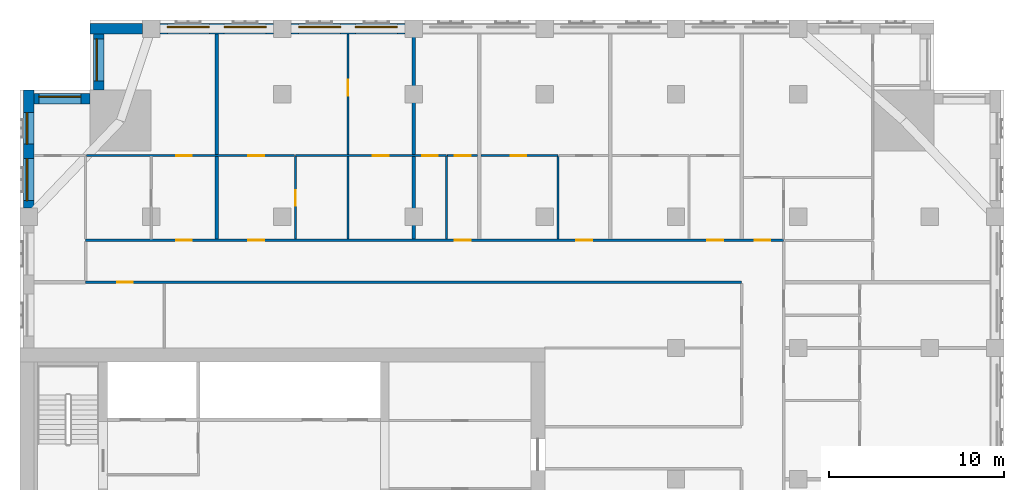
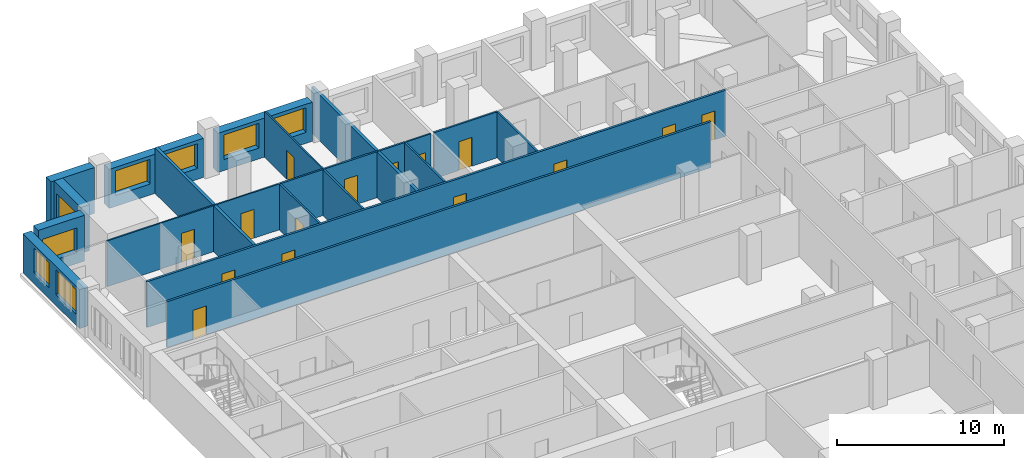
# One storey, part 9 of 14: 19 walls, 15 doors, 8 windows, 23 openings.
"""IFC4 building model written with IfcOpenShell, lengths in metres."""

import ifcopenshell
import ifcopenshell.guid

model = None  # the IFC model being written
_history = None  # IfcOwnerHistory: only IFC2X3 demands one
_inside = {}  # id of a spatial element -> (the spatial element, [elements in it])
_under = {}  # id of a project, library or spatial element -> (it, [spatial elements below it])
_declared = {}  # id of a project -> (the project, [libraries it declares])
_typed = {}  # id of a type object -> (the type object, [elements of that type])
_made_of = {}  # id of a material, layer set ... -> (it, [elements and type objects made of it])


def new_model(schema):
    """Start an empty IFC model of exactly this schema.

    Asked for "IFC4X3", IfcOpenShell would pick the latest addendum, in which some entities
    have other attributes; the version numbers below select the first issue.
    IFC2X3 requires an IfcOwnerHistory on every rooted entity: one is made here for all.
    """
    global model, _history
    if schema == "IFC4X3":
        model = ifcopenshell.file(schema_version=(4, 3, 0, 0))
    else:
        model = ifcopenshell.file(schema=schema)
    _inside.clear()
    _under.clear()
    _declared.clear()
    _typed.clear()
    _made_of.clear()
    _history = None
    if model.schema == "IFC2X3":
        org = make("IfcOrganization", Name="unknown")
        user = make(
            "IfcPersonAndOrganization",
            ThePerson=make("IfcPerson", FamilyName="unknown"),
            TheOrganization=org,
        )
        app = make(
            "IfcApplication",
            ApplicationDeveloper=org,
            Version="unknown",
            ApplicationFullName="unknown",
            ApplicationIdentifier="unknown",
        )
        _history = make(
            "IfcOwnerHistory",
            OwningUser=user,
            OwningApplication=app,
            ChangeAction="ADDED",
            CreationDate=0,
        )
    return model


def make(cls, **values):
    """One entity of the class cls with the attributes given. An attribute that is None is left unset."""
    return model.create_entity(
        cls, **{name: value for name, value in values.items() if value is not None}
    )


def rooted(cls, **values):
    """An entity with a GlobalId (a new one), such as an element, a storey or a relation."""
    return make(cls, GlobalId=ifcopenshell.guid.new(), OwnerHistory=_history, **values)


def si_unit(unit_type, name, prefix=None):
    """IfcSIUnit, for example si_unit("LENGTHUNIT", "METRE", prefix="MILLI")."""
    return make("IfcSIUnit", UnitType=unit_type, Prefix=prefix, Name=name)


def assignment(units):
    """IfcUnitAssignment: the units of a project."""
    return None if units is None else make("IfcUnitAssignment", Units=units)


def point(xyz):
    """IfcCartesianPoint."""
    return None if xyz is None else make("IfcCartesianPoint", Coordinates=xyz)


def direction(xyz):
    """IfcDirection."""
    return None if xyz is None else make("IfcDirection", DirectionRatios=xyz)


def frame(location, z_axis=None, x_axis=None):
    """IfcAxis2Placement3D, a coordinate frame: its origin and axes. An axis left out is left unset."""
    return make(
        "IfcAxis2Placement3D",
        Location=point(location),
        Axis=direction(z_axis),
        RefDirection=direction(x_axis),
    )


def frame_2d(location, x_axis=None):
    """IfcAxis2Placement2D, a coordinate frame in the plane: its origin and x axis."""
    return make(
        "IfcAxis2Placement2D", Location=point(location), RefDirection=direction(x_axis)
    )


def origin():
    """The frame at (0, 0, 0) with its axes left unset."""
    return frame((0.0, 0.0, 0.0))


def place(relative_to, where):
    """IfcLocalPlacement: puts the frame where relative to a parent placement (None: the world)."""
    return make(
        "IfcLocalPlacement", PlacementRelTo=relative_to, RelativePlacement=where
    )


def context(
    kind, dimensions, precision=None, world=None, true_north=None, identifier=None
):
    """IfcGeometricRepresentationContext, for example the 3D "Model" context."""
    return make(
        "IfcGeometricRepresentationContext",
        ContextIdentifier=identifier,
        ContextType=kind,
        CoordinateSpaceDimension=dimensions,
        Precision=precision,
        WorldCoordinateSystem=world,
        TrueNorth=true_north,
    )


def subcontext(parent, identifier, kind, view, scale=None):
    """IfcGeometricRepresentationSubContext, for example "Body" below "Model"."""
    return make(
        "IfcGeometricRepresentationSubContext",
        ContextIdentifier=identifier,
        ContextType=kind,
        ParentContext=parent,
        TargetScale=scale,
        TargetView=view,
    )


def project(units=None, contexts=None):
    """IfcProject with its units and contexts."""
    return rooted(
        "IfcProject",
        Name="project",
        RepresentationContexts=contexts,
        UnitsInContext=assignment(units),
    )


def spatial(cls, under=None, at=None, **own):
    """A site, building, storey or space (cls), placed at a placement, below another one or the project."""
    s = rooted(cls, ObjectPlacement=at, **own)
    if under is not None:
        _under.setdefault(under.id(), (under, []))[1].append(s)
    return s


def profile(cls, at=None, kind="AREA", **sizes):
    """A parametric profile (cls). Its sizes go by their IFC names, for example OverallWidth=200.0."""
    return make(cls, ProfileType=kind, Position=at, **sizes)


def rectangle(**sizes):
    """IfcRectangleProfileDef."""
    return profile("IfcRectangleProfileDef", **sizes)


def extrude(swept, where, along, depth):
    """IfcExtrudedAreaSolid: the profile swept, set in the frame where, extruded along a direction by depth."""
    return make(
        "IfcExtrudedAreaSolid",
        SweptArea=swept,
        Position=where,
        ExtrudedDirection=direction(along),
        Depth=depth,
    )


def shape(context_of_items, identifier, shape_type, items):
    """IfcShapeRepresentation: the items that make up one representation, for example the "Body"."""
    return make(
        "IfcShapeRepresentation",
        ContextOfItems=context_of_items,
        RepresentationIdentifier=identifier,
        RepresentationType=shape_type,
        Items=items,
    )


def material(Name=None, Category=None):
    """IfcMaterial."""
    return make("IfcMaterial", Name=Name, Category=Category)


def layer(
    of_material, thickness, ventilated=None, Name=None, Category=None, Priority=None
):
    """IfcMaterialLayer: one layer of a wall or slab, of a material (None: an air gap)."""
    return make(
        "IfcMaterialLayer",
        Material=of_material,
        LayerThickness=thickness,
        IsVentilated=ventilated,
        Name=Name,
        Category=Category,
        Priority=Priority,
    )


def layer_set(layers, Name=None):
    """IfcMaterialLayerSet."""
    return make("IfcMaterialLayerSet", MaterialLayers=layers, LayerSetName=Name)


def made_of(thing, what):
    """Note that an element or type object is made of a material, layer set ...; save() writes the relation."""
    if what is not None:
        _made_of.setdefault(what.id(), (what, []))[1].append(thing)
    return thing


def type_object(cls, material=None, **own):
    """A type object (cls), such as IfcWallType, which elements share."""
    return made_of(rooted(cls, **own), material)


def element(
    cls,
    number,
    at=None,
    inside=None,
    cuts=None,
    type_object=None,
    material=None,
    context=None,
    identifier="Body",
    shape_type=None,
    held_by="IfcProductDefinitionShape",
    body=None,
    shapes=None,
    **own,
):
    """One element of the class cls, such as IfcWall. Its Tag is "e" and its number.

    at: its placement. inside: the storey or other place that contains it. cuts: it is an
    opening in that element (IfcRelVoidsElement). A single representation is given by context,
    identifier, shape_type and body (its items); several are given by shapes. held_by: the class
    of the entity that holds the representations. save() writes the other relations.
    """
    e = rooted(cls, Tag="e%d" % number, ObjectPlacement=at, **own)
    if body is not None:
        shapes = [shape(context, identifier, shape_type, body)]
    if shapes is not None:
        e.Representation = make(held_by, Representations=shapes)
    if inside is not None:
        _inside.setdefault(inside.id(), (inside, []))[1].append(e)
    if cuts is not None:
        rooted(
            "IfcRelVoidsElement", RelatingBuildingElement=cuts, RelatedOpeningElement=e
        )
    if type_object is not None:
        _typed.setdefault(type_object.id(), (type_object, []))[1].append(e)
    return made_of(e, material)


def fill(opening, filler):
    """IfcRelFillsElement: the door or window that sits in an opening."""
    return rooted(
        "IfcRelFillsElement",
        RelatingOpeningElement=opening,
        RelatedBuildingElement=filler,
    )


def aggregate(whole, parts):
    """IfcRelAggregates: a whole, such as a stair, and the parts it consists of."""
    return rooted("IfcRelAggregates", RelatingObject=whole, RelatedObjects=parts)


def save(model, path):
    """Write the relations noted so far, then the file.

    IfcRelAggregates (storeys below a building ...), IfcRelContainedInSpatialStructure (elements
    in a storey), IfcRelDefinesByType, IfcRelAssociatesMaterial and IfcRelDeclares: one each for
    every whole, place, type object, material and project.
    """
    for whole, parts in _under.values():
        aggregate(whole, parts)
    for where, things in _inside.values():
        rooted(
            "IfcRelContainedInSpatialStructure",
            RelatedElements=things,
            RelatingStructure=where,
        )
    for kind, things in _typed.values():
        rooted("IfcRelDefinesByType", RelatedObjects=things, RelatingType=kind)
    for what, things in _made_of.values():
        rooted("IfcRelAssociatesMaterial", RelatedObjects=things, RelatingMaterial=what)
    for by, libraries in _declared.values():
        rooted("IfcRelDeclares", RelatingContext=by, RelatedDefinitions=libraries)
    model.write(path)


model = new_model("IFC4")

# Units and contexts
model_context = context("Model", 3, precision=1e-05, world=origin(), true_north=direction((0.0, 1.0)))
body_context = subcontext(model_context, "Body", "Model", "MODEL_VIEW")
ifc_project = project(units=[si_unit("LENGTHUNIT", "METRE"), si_unit("AREAUNIT", "SQUARE_METRE"), si_unit("VOLUMEUNIT", "CUBIC_METRE"), si_unit("PLANEANGLEUNIT", "RADIAN"), si_unit("MASSUNIT", "GRAM", prefix="KILO")], contexts=[model_context])

# Site, building, storey
site_placement = place(None, origin())
site = spatial("IfcSite", under=ifc_project, at=site_placement, CompositionType="ELEMENT")
building_placement = place(site_placement, origin())
building = spatial("IfcBuilding", under=site, at=building_placement, Name="Tamorin Gate", CompositionType="ELEMENT")
storey_placement = place(building_placement, frame((0.0, 0.0, 133.800048828125)))
storey = spatial("IfcBuildingStorey", under=building, at=storey_placement, Name="L32", CompositionType="ELEMENT", Elevation=133.800048828125)

# Wall, openings, windows
ifc_material_1 = material(Name="Precast concrete C40/50", Category="concrete")
ifc_layer_1 = layer(ifc_material_1, 0.60009765625)
ifc_layer_set_1 = layer_set([ifc_layer_1], Name="Precast concrete C40/50")
wall_type_1 = type_object("IfcWallType", Name="Board-marked concrete facade panel 600", PredefinedType="SOLIDWALL", material=ifc_layer_set_1)
wall_1_placement = place(storey_placement, frame((52.0, 100.75, 0.0), z_axis=(0.0, 0.0, 1.0), x_axis=(-1.0, 0.0, 0.0)))
wall_1 = element("IfcWall", 1, at=wall_1_placement, inside=storey, type_object=wall_type_1, Name="Facade panel", PredefinedType="SOLIDWALL", context=body_context, shape_type="SweptSolid", body=[
    extrude(rectangle(XDim=6.5, YDim=0.60009765625, at=frame_2d((3.25, 0.0))), origin(), (0.0, 0.0, 1.0), 2.849853515625),
])
opening_1_placement = place(wall_1_placement, frame((3.675048828125, 0.0, 0.800048828125)))
opening_1 = element("IfcOpeningElement", 2, at=opening_1_placement, cuts=wall_1, Name="Opening WN1", PredefinedType="OPENING", context=body_context, shape_type="SweptSolid", body=[
    extrude(rectangle(XDim=2.39990234375, YDim=1.800048828125, at=frame_2d((1.199951171875, 0.89990234375))), frame((0.0, 0.31005859375, 0.0), z_axis=(0.0, -1.0, 0.0), x_axis=(1.0, 0.0, 0.0)), (0.0, 0.0, 1.0), 0.6201171875),
])
opening_2_placement = place(wall_1_placement, frame((0.425048828125, 0.0, 0.800048828125)))
opening_2 = element("IfcOpeningElement", 3, at=opening_2_placement, cuts=wall_1, Name="Opening WN1", PredefinedType="OPENING", context=body_context, shape_type="SweptSolid", body=[
    extrude(rectangle(XDim=2.39990234375, YDim=1.800048828125, at=frame_2d((1.199951171875, 0.89990234375))), frame((0.0, 0.31005859375, 0.0), z_axis=(0.0, -1.0, 0.0), x_axis=(1.0, 0.0, 0.0)), (0.0, 0.0, 1.0), 0.6201171875),
])
ifc_material_2 = material(Name="Clear glass in aluminium frame", Category="aluminium")
window_type_1 = type_object("IfcWindowType", Name="Deep-set window 2400x1800", PartitioningType="SINGLE_PANEL", PredefinedType="WINDOW", material=ifc_material_2)
window_1_placement = place(opening_1_placement, origin())
window_1 = element("IfcWindow", 4, at=window_1_placement, inside=storey, type_object=window_type_1, Name="Deep-set window", OverallHeight=1.800048828125, OverallWidth=2.39990234375, PartitioningType="SINGLE_PANEL", PredefinedType="WINDOW", context=body_context, shape_type="SweptSolid", body=[
    extrude(rectangle(XDim=2.39990234375, YDim=1.800048828125, at=frame_2d((1.199951171875, 0.89990234375))), frame((0.0, -0.070068359375, 0.0), z_axis=(0.0, -1.0, 0.0), x_axis=(1.0, 0.0, 0.0)), (0.0, 0.0, 1.0), 0.06005859375),
])
fill(opening_1, window_1)
window_2_placement = place(opening_2_placement, origin())
window_2 = element("IfcWindow", 5, at=window_2_placement, inside=storey, type_object=window_type_1, Name="Deep-set window", OverallHeight=1.800048828125, OverallWidth=2.39990234375, PartitioningType="SINGLE_PANEL", PredefinedType="WINDOW", context=body_context, shape_type="SweptSolid", body=[
    extrude(rectangle(XDim=2.39990234375, YDim=1.800048828125, at=frame_2d((1.199951171875, 0.89990234375))), frame((0.0, -0.070068359375, 0.0), z_axis=(0.0, -1.0, 0.0), x_axis=(1.0, 0.0, 0.0)), (0.0, 0.0, 1.0), 0.06005859375),
])
fill(opening_2, window_2)

wall_2_placement = place(storey_placement, frame((44.5, 100.75, 0.0), z_axis=(0.0, 0.0, 1.0), x_axis=(-1.0, 0.0, 0.0)))
wall_2 = element("IfcWall", 6, at=wall_2_placement, inside=storey, type_object=wall_type_1, Name="Facade panel", PredefinedType="SOLIDWALL", context=body_context, shape_type="SweptSolid", body=[
    extrude(rectangle(XDim=6.5, YDim=0.60009765625, at=frame_2d((3.25, 0.0))), origin(), (0.0, 0.0, 1.0), 2.849853515625),
])
opening_3_placement = place(wall_2_placement, frame((3.675048828125, 0.0, 0.800048828125)))
opening_3 = element("IfcOpeningElement", 7, at=opening_3_placement, cuts=wall_2, Name="Opening WN1", PredefinedType="OPENING", context=body_context, shape_type="SweptSolid", body=[
    extrude(rectangle(XDim=2.39990234375, YDim=1.800048828125, at=frame_2d((1.199951171875, 0.89990234375))), frame((0.0, 0.31005859375, 0.0), z_axis=(0.0, -1.0, 0.0), x_axis=(1.0, 0.0, 0.0)), (0.0, 0.0, 1.0), 0.6201171875),
])
opening_4_placement = place(wall_2_placement, frame((0.425048828125, 0.0, 0.800048828125)))
opening_4 = element("IfcOpeningElement", 8, at=opening_4_placement, cuts=wall_2, Name="Opening WN1", PredefinedType="OPENING", context=body_context, shape_type="SweptSolid", body=[
    extrude(rectangle(XDim=2.39990234375, YDim=1.800048828125, at=frame_2d((1.199951171875, 0.89990234375))), frame((0.0, 0.31005859375, 0.0), z_axis=(0.0, -1.0, 0.0), x_axis=(1.0, 0.0, 0.0)), (0.0, 0.0, 1.0), 0.6201171875),
])
window_3_placement = place(opening_3_placement, origin())
window_3 = element("IfcWindow", 9, at=window_3_placement, inside=storey, type_object=window_type_1, Name="Deep-set window", OverallHeight=1.800048828125, OverallWidth=2.39990234375, PartitioningType="SINGLE_PANEL", PredefinedType="WINDOW", context=body_context, shape_type="SweptSolid", body=[
    extrude(rectangle(XDim=2.39990234375, YDim=1.800048828125, at=frame_2d((1.199951171875, 0.89990234375))), frame((0.0, -0.070068359375, 0.0), z_axis=(0.0, -1.0, 0.0), x_axis=(1.0, 0.0, 0.0)), (0.0, 0.0, 1.0), 0.06005859375),
])
fill(opening_3, window_3)
window_4_placement = place(opening_4_placement, origin())
window_4 = element("IfcWindow", 10, at=window_4_placement, inside=storey, type_object=window_type_1, Name="Deep-set window", OverallHeight=1.800048828125, OverallWidth=2.39990234375, PartitioningType="SINGLE_PANEL", PredefinedType="WINDOW", context=body_context, shape_type="SweptSolid", body=[
    extrude(rectangle(XDim=2.39990234375, YDim=1.800048828125, at=frame_2d((1.199951171875, 0.89990234375))), frame((0.0, -0.070068359375, 0.0), z_axis=(0.0, -1.0, 0.0), x_axis=(1.0, 0.0, 0.0)), (0.0, 0.0, 1.0), 0.06005859375),
])
fill(opening_4, window_4)

# Wall
wall_3_placement = place(storey_placement, frame((37.0, 100.75, 0.0), z_axis=(0.0, 0.0, 1.0), x_axis=(-1.0, 0.0, 0.0)))
element("IfcWall", 11, at=wall_3_placement, inside=storey, type_object=wall_type_1, Name="Facade panel", PredefinedType="SOLIDWALL", context=body_context, shape_type="SweptSolid", body=[
    extrude(rectangle(XDim=3.0, YDim=0.60009765625, at=frame_2d((1.5, 0.0))), origin(), (0.0, 0.0, 1.0), 3.349853515625),
])

# Wall, opening, window
wall_4_placement = place(storey_placement, frame((34.5, 100.449951171875, 0.0), z_axis=(0.0, 0.0, 1.0), x_axis=(0.0, -1.0, 0.0)))
wall_4 = element("IfcWall", 12, at=wall_4_placement, inside=storey, type_object=wall_type_1, Name="Facade panel", PredefinedType="SOLIDWALL", context=body_context, shape_type="SweptSolid", body=[
    extrude(rectangle(XDim=3.199951171875, YDim=0.60009765625, at=frame_2d((1.60009765625, 0.0))), origin(), (0.0, 0.0, 1.0), 3.349853515625),
])
opening_5_placement = place(wall_4_placement, frame((0.27490234375, 0.0, 0.800048828125)))
opening_5 = element("IfcOpeningElement", 13, at=opening_5_placement, cuts=wall_4, Name="Opening WN1", PredefinedType="OPENING", context=body_context, shape_type="SweptSolid", body=[
    extrude(rectangle(XDim=2.39990234375, YDim=1.800048828125, at=frame_2d((1.199951171875, 0.89990234375))), frame((0.0, 0.31005859375, 0.0), z_axis=(0.0, -1.0, 0.0), x_axis=(1.0, 0.0, 0.0)), (0.0, 0.0, 1.0), 0.6201171875),
])
window_5_placement = place(opening_5_placement, origin())
window_5 = element("IfcWindow", 14, at=window_5_placement, inside=storey, type_object=window_type_1, Name="Deep-set window", OverallHeight=1.800048828125, OverallWidth=2.39990234375, PartitioningType="SINGLE_PANEL", PredefinedType="WINDOW", context=body_context, shape_type="SweptSolid", body=[
    extrude(rectangle(XDim=2.39990234375, YDim=1.800048828125, at=frame_2d((1.199951171875, 0.89990234375))), frame((0.0, -0.070068359375, 0.0), z_axis=(0.0, -1.0, 0.0), x_axis=(1.0, 0.0, 0.0)), (0.0, 0.0, 1.0), 0.06005859375),
])
fill(opening_5, window_5)

wall_5_placement = place(storey_placement, frame((34.0, 96.75, 0.0), z_axis=(0.0, 0.0, 1.0), x_axis=(-1.0, 0.0, 0.0)))
wall_5 = element("IfcWall", 15, at=wall_5_placement, inside=storey, type_object=wall_type_1, Name="Facade panel", PredefinedType="SOLIDWALL", context=body_context, shape_type="SweptSolid", body=[
    extrude(rectangle(XDim=3.199951171875, YDim=0.60009765625, at=frame_2d((1.60009765625, 0.0))), origin(), (0.0, 0.0, 1.0), 3.349853515625),
])
opening_6_placement = place(wall_5_placement, frame((0.52490234375, 0.0, 0.800048828125)))
opening_6 = element("IfcOpeningElement", 16, at=opening_6_placement, cuts=wall_5, Name="Opening WN1", PredefinedType="OPENING", context=body_context, shape_type="SweptSolid", body=[
    extrude(rectangle(XDim=2.39990234375, YDim=1.800048828125, at=frame_2d((1.199951171875, 0.89990234375))), frame((0.0, 0.31005859375, 0.0), z_axis=(0.0, -1.0, 0.0), x_axis=(1.0, 0.0, 0.0)), (0.0, 0.0, 1.0), 0.6201171875),
])
window_6_placement = place(opening_6_placement, origin())
window_6 = element("IfcWindow", 17, at=window_6_placement, inside=storey, type_object=window_type_1, Name="Deep-set window", OverallHeight=1.800048828125, OverallWidth=2.39990234375, PartitioningType="SINGLE_PANEL", PredefinedType="WINDOW", context=body_context, shape_type="SweptSolid", body=[
    extrude(rectangle(XDim=2.39990234375, YDim=1.800048828125, at=frame_2d((1.199951171875, 0.89990234375))), frame((0.0, -0.070068359375, 0.0), z_axis=(0.0, -1.0, 0.0), x_axis=(1.0, 0.0, 0.0)), (0.0, 0.0, 1.0), 0.06005859375),
])
fill(opening_6, window_6)

# Wall, openings, windows
wall_6_placement = place(storey_placement, frame((30.5, 97.25, 0.0), z_axis=(0.0, 0.0, 1.0), x_axis=(0.0, -1.0, 0.0)))
wall_6 = element("IfcWall", 18, at=wall_6_placement, inside=storey, type_object=wall_type_1, Name="Facade panel", PredefinedType="SOLIDWALL", context=body_context, shape_type="SweptSolid", body=[
    extrude(rectangle(XDim=6.75, YDim=0.60009765625, at=frame_2d((3.375, 0.0))), origin(), (0.0, 0.0, 1.0), 2.849853515625),
])
opening_7_placement = place(wall_6_placement, frame((3.925048828125, 0.0, 0.800048828125)))
opening_7 = element("IfcOpeningElement", 19, at=opening_7_placement, cuts=wall_6, Name="Opening WN1", PredefinedType="OPENING", context=body_context, shape_type="SweptSolid", body=[
    extrude(rectangle(XDim=2.39990234375, YDim=1.800048828125, at=frame_2d((1.199951171875, 0.89990234375))), frame((0.0, 0.31005859375, 0.0), z_axis=(0.0, -1.0, 0.0), x_axis=(1.0, 0.0, 0.0)), (0.0, 0.0, 1.0), 0.6201171875),
])
opening_8_placement = place(wall_6_placement, frame((1.300048828125, 0.0, 0.800048828125)))
opening_8 = element("IfcOpeningElement", 20, at=opening_8_placement, cuts=wall_6, Name="Opening WN2", PredefinedType="OPENING", context=body_context, shape_type="SweptSolid", body=[
    extrude(rectangle(XDim=1.800048828125, YDim=1.800048828125, at=frame_2d((0.89990234375, 0.89990234375))), frame((0.0, 0.31005859375, 0.0), z_axis=(0.0, -1.0, 0.0), x_axis=(1.0, 0.0, 0.0)), (0.0, 0.0, 1.0), 0.6201171875),
])
window_type_2 = type_object("IfcWindowType", Name="Deep-set window 1800x1800", PartitioningType="SINGLE_PANEL", PredefinedType="WINDOW", material=ifc_material_2)
window_7_placement = place(opening_8_placement, origin())
window_7 = element("IfcWindow", 21, at=window_7_placement, inside=storey, type_object=window_type_2, Name="Deep-set window", OverallHeight=1.800048828125, OverallWidth=1.800048828125, PartitioningType="SINGLE_PANEL", PredefinedType="WINDOW", context=body_context, shape_type="SweptSolid", body=[
    extrude(rectangle(XDim=1.800048828125, YDim=1.800048828125, at=frame_2d((0.89990234375, 0.89990234375))), frame((0.0, -0.070068359375, 0.0), z_axis=(0.0, -1.0, 0.0), x_axis=(1.0, 0.0, 0.0)), (0.0, 0.0, 1.0), 0.06005859375),
])
fill(opening_8, window_7)
window_8_placement = place(opening_7_placement, origin())
window_8 = element("IfcWindow", 22, at=window_8_placement, inside=storey, type_object=window_type_1, Name="Deep-set window", OverallHeight=1.800048828125, OverallWidth=2.39990234375, PartitioningType="SINGLE_PANEL", PredefinedType="WINDOW", context=body_context, shape_type="SweptSolid", body=[
    extrude(rectangle(XDim=2.39990234375, YDim=1.800048828125, at=frame_2d((1.199951171875, 0.89990234375))), frame((0.0, -0.070068359375, 0.0), z_axis=(0.0, -1.0, 0.0), x_axis=(1.0, 0.0, 0.0)), (0.0, 0.0, 1.0), 0.06005859375),
])
fill(opening_7, window_8)

# Wall, opening, door
ifc_material_3 = material(Name="Gypsum board partition")
ifc_layer_2 = layer(ifc_material_3, 0.14990234375)
ifc_layer_set_2 = layer_set([ifc_layer_2], Name="Corridor wall 150")
wall_type_2 = type_object("IfcWallType", Name="Corridor wall 150", PredefinedType="PARTITIONING", material=ifc_layer_set_2)
wall_7_placement = place(storey_placement, frame((33.75, 86.25, 0.0), z_axis=(0.0, 0.0, 1.0), x_axis=(1.0, 0.0, 0.0)))
wall_7 = element("IfcWall", 23, at=wall_7_placement, inside=storey, type_object=wall_type_2, Name="Corridor wall 150", PredefinedType="PARTITIONING", context=body_context, shape_type="SweptSolid", body=[
    extrude(rectangle(XDim=37.5, YDim=0.14990234375, at=frame_2d((18.75, 0.0))), origin(), (0.0, 0.0, 1.0), 3.349853515625),
])
opening_9_placement = place(wall_7_placement, frame((1.800048828125, 0.0, 0.0)))
opening_9 = element("IfcOpeningElement", 24, at=opening_9_placement, cuts=wall_7, Name="Opening DS2070", PredefinedType="OPENING", context=body_context, shape_type="SweptSolid", body=[
    extrude(rectangle(XDim=0.89990234375, YDim=2.10009765625, at=frame_2d((0.449951171875, 1.050048828125))), frame((0.0, 0.0849609375, 0.0), z_axis=(0.0, -1.0, 0.0), x_axis=(1.0, 0.0, 0.0)), (0.0, 0.0, 1.0), 0.169921875),
])
ifc_material_4 = material(Name="Timber door leaf", Category="wood")
door_type_1 = type_object("IfcDoorType", Name="Door 900 x 2100 FD30S", OperationType="NOTDEFINED", PredefinedType="DOOR", material=ifc_material_4)
door_1_placement = place(opening_9_placement, origin())
door_1 = element("IfcDoor", 25, at=door_1_placement, inside=storey, type_object=door_type_1, Name="Door DS2070", OperationType="SINGLE_SWING_RIGHT", OverallHeight=2.10009765625, OverallWidth=0.89990234375, PredefinedType="DOOR", context=body_context, shape_type="SweptSolid", body=[
    extrude(rectangle(XDim=0.89990234375, YDim=2.10009765625, at=frame_2d((0.449951171875, 1.050048828125))), frame((0.0, 0.02490234375, 0.0), z_axis=(0.0, -1.0, 0.0), x_axis=(1.0, 0.0, 0.0)), (0.0, 0.0, 1.0), 0.050048828125),
])
fill(opening_9, door_1)

# Wall, openings, doors
wall_8_placement = place(storey_placement, frame((33.75, 88.64990234375, 0.0), z_axis=(0.0, 0.0, 1.0), x_axis=(1.0, 0.0, 0.0)))
wall_8 = element("IfcWall", 26, at=wall_8_placement, inside=storey, type_object=wall_type_2, Name="Corridor wall 150", PredefinedType="PARTITIONING", context=body_context, shape_type="SweptSolid", body=[
    extrude(rectangle(XDim=39.89990234375, YDim=0.14990234375, at=frame_2d((19.949951171875, 0.0))), origin(), (0.0, 0.0, 1.0), 3.349853515625),
])
opening_10_placement = place(wall_8_placement, frame((5.175048828125, 0.0, 0.0)))
opening_10 = element("IfcOpeningElement", 27, at=opening_10_placement, cuts=wall_8, Name="Opening DS2021", PredefinedType="OPENING", context=body_context, shape_type="SweptSolid", body=[
    extrude(rectangle(XDim=0.89990234375, YDim=2.10009765625, at=frame_2d((0.449951171875, 1.050048828125))), frame((0.0, 0.0849609375, 0.0), z_axis=(0.0, -1.0, 0.0), x_axis=(1.0, 0.0, 0.0)), (0.0, 0.0, 1.0), 0.169921875),
])
opening_11_placement = place(wall_8_placement, frame((9.300048828125, 0.0, 0.0)))
opening_11 = element("IfcOpeningElement", 28, at=opening_11_placement, cuts=wall_8, Name="Opening DS2023", PredefinedType="OPENING", context=body_context, shape_type="SweptSolid", body=[
    extrude(rectangle(XDim=0.89990234375, YDim=2.10009765625, at=frame_2d((0.449951171875, 1.050048828125))), frame((0.0, 0.0849609375, 0.0), z_axis=(0.0, -1.0, 0.0), x_axis=(1.0, 0.0, 0.0)), (0.0, 0.0, 1.0), 0.169921875),
])
opening_12_placement = place(wall_8_placement, frame((21.112548828125, 0.0, 0.0)))
opening_12 = element("IfcOpeningElement", 29, at=opening_12_placement, cuts=wall_8, Name="Opening DS2029", PredefinedType="OPENING", context=body_context, shape_type="SweptSolid", body=[
    extrude(rectangle(XDim=0.89990234375, YDim=2.10009765625, at=frame_2d((0.449951171875, 1.050048828125))), frame((0.0, 0.0849609375, 0.0), z_axis=(0.0, -1.0, 0.0), x_axis=(1.0, 0.0, 0.0)), (0.0, 0.0, 1.0), 0.169921875),
])
opening_13_placement = place(wall_8_placement, frame((28.050048828125, 0.0, 0.0)))
opening_13 = element("IfcOpeningElement", 30, at=opening_13_placement, cuts=wall_8, Name="Opening DS2032", PredefinedType="OPENING", context=body_context, shape_type="SweptSolid", body=[
    extrude(rectangle(XDim=0.89990234375, YDim=2.10009765625, at=frame_2d((0.449951171875, 1.050048828125))), frame((0.0, 0.0849609375, 0.0), z_axis=(0.0, -1.0, 0.0), x_axis=(1.0, 0.0, 0.0)), (0.0, 0.0, 1.0), 0.169921875),
])
opening_14_placement = place(wall_8_placement, frame((35.550048828125, 0.0, 0.0)))
opening_14 = element("IfcOpeningElement", 31, at=opening_14_placement, cuts=wall_8, Name="Opening DS2035", PredefinedType="OPENING", context=body_context, shape_type="SweptSolid", body=[
    extrude(rectangle(XDim=0.89990234375, YDim=2.10009765625, at=frame_2d((0.449951171875, 1.050048828125))), frame((0.0, 0.0849609375, 0.0), z_axis=(0.0, -1.0, 0.0), x_axis=(1.0, 0.0, 0.0)), (0.0, 0.0, 1.0), 0.169921875),
])
opening_15_placement = place(wall_8_placement, frame((38.25, 0.0, 0.0)))
opening_15 = element("IfcOpeningElement", 32, at=opening_15_placement, cuts=wall_8, Name="Opening DS2060", PredefinedType="OPENING", context=body_context, shape_type="SweptSolid", body=[
    extrude(rectangle(XDim=0.89990234375, YDim=2.10009765625, at=frame_2d((0.449951171875, 1.050048828125))), frame((0.0, 0.0849609375, 0.0), z_axis=(0.0, -1.0, 0.0), x_axis=(1.0, 0.0, 0.0)), (0.0, 0.0, 1.0), 0.169921875),
])
door_2_placement = place(opening_10_placement, origin())
door_2 = element("IfcDoor", 33, at=door_2_placement, inside=storey, type_object=door_type_1, Name="Door DS2021", OperationType="SINGLE_SWING_LEFT", OverallHeight=2.10009765625, OverallWidth=0.89990234375, PredefinedType="DOOR", context=body_context, shape_type="SweptSolid", body=[
    extrude(rectangle(XDim=0.89990234375, YDim=2.10009765625, at=frame_2d((0.449951171875, 1.050048828125))), frame((0.0, 0.02490234375, 0.0), z_axis=(0.0, -1.0, 0.0), x_axis=(1.0, 0.0, 0.0)), (0.0, 0.0, 1.0), 0.050048828125),
])
fill(opening_10, door_2)
door_3_placement = place(opening_11_placement, origin())
door_3 = element("IfcDoor", 34, at=door_3_placement, inside=storey, type_object=door_type_1, Name="Door DS2023", OperationType="SINGLE_SWING_LEFT", OverallHeight=2.10009765625, OverallWidth=0.89990234375, PredefinedType="DOOR", context=body_context, shape_type="SweptSolid", body=[
    extrude(rectangle(XDim=0.89990234375, YDim=2.10009765625, at=frame_2d((0.449951171875, 1.050048828125))), frame((0.0, 0.02490234375, 0.0), z_axis=(0.0, -1.0, 0.0), x_axis=(1.0, 0.0, 0.0)), (0.0, 0.0, 1.0), 0.050048828125),
])
fill(opening_11, door_3)
door_4_placement = place(opening_12_placement, origin())
door_4 = element("IfcDoor", 35, at=door_4_placement, inside=storey, type_object=door_type_1, Name="Door DS2029", OperationType="SINGLE_SWING_LEFT", OverallHeight=2.10009765625, OverallWidth=0.89990234375, PredefinedType="DOOR", context=body_context, shape_type="SweptSolid", body=[
    extrude(rectangle(XDim=0.89990234375, YDim=2.10009765625, at=frame_2d((0.449951171875, 1.050048828125))), frame((0.0, 0.02490234375, 0.0), z_axis=(0.0, -1.0, 0.0), x_axis=(1.0, 0.0, 0.0)), (0.0, 0.0, 1.0), 0.050048828125),
])
fill(opening_12, door_4)
door_5_placement = place(opening_13_placement, origin())
door_5 = element("IfcDoor", 36, at=door_5_placement, inside=storey, type_object=door_type_1, Name="Door DS2032", OperationType="SINGLE_SWING_LEFT", OverallHeight=2.10009765625, OverallWidth=0.89990234375, PredefinedType="DOOR", context=body_context, shape_type="SweptSolid", body=[
    extrude(rectangle(XDim=0.89990234375, YDim=2.10009765625, at=frame_2d((0.449951171875, 1.050048828125))), frame((0.0, 0.02490234375, 0.0), z_axis=(0.0, -1.0, 0.0), x_axis=(1.0, 0.0, 0.0)), (0.0, 0.0, 1.0), 0.050048828125),
])
fill(opening_13, door_5)
door_6_placement = place(opening_14_placement, origin())
door_6 = element("IfcDoor", 37, at=door_6_placement, inside=storey, type_object=door_type_1, Name="Door DS2035", OperationType="SINGLE_SWING_LEFT", OverallHeight=2.10009765625, OverallWidth=0.89990234375, PredefinedType="DOOR", context=body_context, shape_type="SweptSolid", body=[
    extrude(rectangle(XDim=0.89990234375, YDim=2.10009765625, at=frame_2d((0.449951171875, 1.050048828125))), frame((0.0, 0.02490234375, 0.0), z_axis=(0.0, -1.0, 0.0), x_axis=(1.0, 0.0, 0.0)), (0.0, 0.0, 1.0), 0.050048828125),
])
fill(opening_14, door_6)
door_7_placement = place(opening_15_placement, origin())
door_7 = element("IfcDoor", 38, at=door_7_placement, inside=storey, type_object=door_type_1, Name="Door DS2060", OperationType="SINGLE_SWING_RIGHT", OverallHeight=2.10009765625, OverallWidth=0.89990234375, PredefinedType="DOOR", context=body_context, shape_type="SweptSolid", body=[
    extrude(rectangle(XDim=0.89990234375, YDim=2.10009765625, at=frame_2d((0.449951171875, 1.050048828125))), frame((0.0, 0.02490234375, 0.0), z_axis=(0.0, -1.0, 0.0), x_axis=(1.0, 0.0, 0.0)), (0.0, 0.0, 1.0), 0.050048828125),
])
fill(opening_15, door_7)

# Walls
ifc_layer_3 = layer(ifc_material_3, 0.199951171875)
ifc_layer_set_3 = layer_set([ifc_layer_3], Name="Demising wall 200")
wall_type_3 = type_object("IfcWallType", Name="Demising wall 200", PredefinedType="PARTITIONING", material=ifc_layer_set_3)
wall_9_placement = place(storey_placement, frame((41.25, 88.72509765625, 0.0), z_axis=(0.0, 0.0, 1.0), x_axis=(0.0, 1.0, 0.0)))
element("IfcWall", 39, at=wall_9_placement, inside=storey, type_object=wall_type_3, Name="Demising wall 200", PredefinedType="PARTITIONING", context=body_context, shape_type="SweptSolid", body=[
    extrude(rectangle(XDim=11.71484375, YDim=0.199951171875, at=frame_2d((5.857421875, 0.0))), origin(), (0.0, 0.0, 1.0), 3.349853515625),
])
wall_10_placement = place(storey_placement, frame((52.5, 88.72509765625, 0.0), z_axis=(0.0, 0.0, 1.0), x_axis=(0.0, 1.0, 0.0)))
element("IfcWall", 40, at=wall_10_placement, inside=storey, type_object=wall_type_3, Name="Demising wall 200", PredefinedType="PARTITIONING", context=body_context, shape_type="SweptSolid", body=[
    extrude(rectangle(XDim=12.52490234375, YDim=0.199951171875, at=frame_2d((6.262451171875, 0.0))), origin(), (0.0, 0.0, 1.0), 3.349853515625),
])

# Wall, openings, doors
ifc_layer_4 = layer(ifc_material_3, 0.10009765625)
ifc_layer_set_4 = layer_set([ifc_layer_4], Name="Room partition 100")
wall_type_4 = type_object("IfcWallType", Name="Room partition 100", PredefinedType="PARTITIONING", material=ifc_layer_set_4)
wall_11_placement = place(storey_placement, frame((33.8125, 93.5, 0.0), z_axis=(0.0, 0.0, 1.0), x_axis=(1.0, 0.0, 0.0)))
wall_11 = element("IfcWall", 41, at=wall_11_placement, inside=storey, type_object=wall_type_4, Name="Room partition 100", PredefinedType="PARTITIONING", context=body_context, shape_type="SweptSolid", body=[
    extrude(rectangle(XDim=11.875, YDim=0.10009765625, at=frame_2d((5.9375, 0.0))), origin(), (0.0, 0.0, 1.0), 3.349853515625),
])
opening_16_placement = place(wall_11_placement, frame((5.112548828125, 0.0, 0.0)))
opening_16 = element("IfcOpeningElement", 42, at=opening_16_placement, cuts=wall_11, Name="Opening DS2022", PredefinedType="OPENING", context=body_context, shape_type="SweptSolid", body=[
    extrude(rectangle(XDim=0.89990234375, YDim=2.10009765625, at=frame_2d((0.449951171875, 1.050048828125))), frame((0.0, 0.06005859375, 0.0), z_axis=(0.0, -1.0, 0.0), x_axis=(1.0, 0.0, 0.0)), (0.0, 0.0, 1.0), 0.1201171875),
])
opening_17_placement = place(wall_11_placement, frame((9.237548828125, 0.0, 0.0)))
opening_17 = element("IfcOpeningElement", 43, at=opening_17_placement, cuts=wall_11, Name="Opening DS2024", PredefinedType="OPENING", context=body_context, shape_type="SweptSolid", body=[
    extrude(rectangle(XDim=0.89990234375, YDim=2.10009765625, at=frame_2d((0.449951171875, 1.050048828125))), frame((0.0, 0.06005859375, 0.0), z_axis=(0.0, -1.0, 0.0), x_axis=(1.0, 0.0, 0.0)), (0.0, 0.0, 1.0), 0.1201171875),
])
door_type_2 = type_object("IfcDoorType", Name="Door 900 x 2100", OperationType="NOTDEFINED", PredefinedType="DOOR", material=ifc_material_4)
door_8_placement = place(opening_16_placement, origin())
door_8 = element("IfcDoor", 44, at=door_8_placement, inside=storey, type_object=door_type_2, Name="Door DS2022", OperationType="SINGLE_SWING_RIGHT", OverallHeight=2.10009765625, OverallWidth=0.89990234375, PredefinedType="DOOR", context=body_context, shape_type="SweptSolid", body=[
    extrude(rectangle(XDim=0.89990234375, YDim=2.10009765625, at=frame_2d((0.449951171875, 1.050048828125))), frame((0.0, 0.02490234375, 0.0), z_axis=(0.0, -1.0, 0.0), x_axis=(1.0, 0.0, 0.0)), (0.0, 0.0, 1.0), 0.050048828125),
])
fill(opening_16, door_8)
door_9_placement = place(opening_17_placement, origin())
door_9 = element("IfcDoor", 45, at=door_9_placement, inside=storey, type_object=door_type_2, Name="Door DS2024", OperationType="SINGLE_SWING_RIGHT", OverallHeight=2.10009765625, OverallWidth=0.89990234375, PredefinedType="DOOR", context=body_context, shape_type="SweptSolid", body=[
    extrude(rectangle(XDim=0.89990234375, YDim=2.10009765625, at=frame_2d((0.449951171875, 1.050048828125))), frame((0.0, 0.02490234375, 0.0), z_axis=(0.0, -1.0, 0.0), x_axis=(1.0, 0.0, 0.0)), (0.0, 0.0, 1.0), 0.050048828125),
])
fill(opening_17, door_9)

# Wall, opening, door
wall_12_placement = place(storey_placement, frame((54.4375, 93.5, 0.0), z_axis=(0.0, 0.0, 1.0), x_axis=(1.0, 0.0, 0.0)))
wall_12 = element("IfcWall", 46, at=wall_12_placement, inside=storey, type_object=wall_type_4, Name="Room partition 100", PredefinedType="PARTITIONING", context=body_context, shape_type="SweptSolid", body=[
    extrude(rectangle(XDim=1.71240234375, YDim=0.10009765625, at=frame_2d((0.856201171875, 0.0))), origin(), (0.0, 0.0, 1.0), 3.349853515625),
])
opening_18_placement = place(wall_12_placement, frame((0.425048828125, 0.0, 0.0)))
opening_18 = element("IfcOpeningElement", 47, at=opening_18_placement, cuts=wall_12, Name="Opening DS2030", PredefinedType="OPENING", context=body_context, shape_type="SweptSolid", body=[
    extrude(rectangle(XDim=0.89990234375, YDim=2.10009765625, at=frame_2d((0.449951171875, 1.050048828125))), frame((0.0, 0.06005859375, 0.0), z_axis=(0.0, -1.0, 0.0), x_axis=(1.0, 0.0, 0.0)), (0.0, 0.0, 1.0), 0.1201171875),
])
door_10_placement = place(opening_18_placement, origin())
door_10 = element("IfcDoor", 48, at=door_10_placement, inside=storey, type_object=door_type_2, Name="Door DS2030", OperationType="SINGLE_SWING_RIGHT", OverallHeight=2.10009765625, OverallWidth=0.89990234375, PredefinedType="DOOR", context=body_context, shape_type="SweptSolid", body=[
    extrude(rectangle(XDim=0.89990234375, YDim=2.10009765625, at=frame_2d((0.449951171875, 1.050048828125))), frame((0.0, 0.02490234375, 0.0), z_axis=(0.0, -1.0, 0.0), x_axis=(1.0, 0.0, 0.0)), (0.0, 0.0, 1.0), 0.050048828125),
])
fill(opening_18, door_10)

wall_13_placement = place(storey_placement, frame((48.75, 93.5625, 0.0), z_axis=(0.0, 0.0, 1.0), x_axis=(0.0, 1.0, 0.0)))
wall_13 = element("IfcWall", 49, at=wall_13_placement, inside=storey, type_object=wall_type_4, Name="Room partition 100", PredefinedType="PARTITIONING", context=body_context, shape_type="SweptSolid", body=[
    extrude(rectangle(XDim=6.87744140625, YDim=0.10009765625, at=frame_2d((3.438720703125, 0.0))), origin(), (0.0, 0.0, 1.0), 3.349853515625),
])
opening_19_placement = place(wall_13_placement, frame((3.362548828125, 0.0, 0.0)))
opening_19 = element("IfcOpeningElement", 50, at=opening_19_placement, cuts=wall_13, Name="Opening DS2027", PredefinedType="OPENING", context=body_context, shape_type="SweptSolid", body=[
    extrude(rectangle(XDim=0.89990234375, YDim=2.10009765625, at=frame_2d((0.449951171875, 1.050048828125))), frame((0.0, 0.06005859375, 0.0), z_axis=(0.0, -1.0, 0.0), x_axis=(1.0, 0.0, 0.0)), (0.0, 0.0, 1.0), 0.1201171875),
])
door_11_placement = place(opening_19_placement, origin())
door_11 = element("IfcDoor", 51, at=door_11_placement, inside=storey, type_object=door_type_2, Name="Door DS2027", OperationType="SINGLE_SWING_LEFT", OverallHeight=2.10009765625, OverallWidth=0.89990234375, PredefinedType="DOOR", context=body_context, shape_type="SweptSolid", body=[
    extrude(rectangle(XDim=0.89990234375, YDim=2.10009765625, at=frame_2d((0.449951171875, 1.050048828125))), frame((0.0, 0.02490234375, 0.0), z_axis=(0.0, -1.0, 0.0), x_axis=(1.0, 0.0, 0.0)), (0.0, 0.0, 1.0), 0.050048828125),
])
fill(opening_19, door_11)

# Wall, openings, doors
ifc_layer_5 = layer(ifc_material_3, 0.125)
ifc_layer_set_5 = layer_set([ifc_layer_5], Name="Wet wall 125")
wall_type_5 = type_object("IfcWallType", Name="Wet wall 125", PredefinedType="PARTITIONING", material=ifc_layer_set_5)
wall_14_placement = place(storey_placement, frame((45.75, 93.5, 0.0), z_axis=(0.0, 0.0, 1.0), x_axis=(1.0, 0.0, 0.0)))
wall_14 = element("IfcWall", 52, at=wall_14_placement, inside=storey, type_object=wall_type_5, Name="Wet wall 125", PredefinedType="PARTITIONING", context=body_context, shape_type="SweptSolid", body=[
    extrude(rectangle(XDim=8.625, YDim=0.125, at=frame_2d((4.3125, 0.0))), origin(), (0.0, 0.0, 1.0), 3.349853515625),
])
opening_20_placement = place(wall_14_placement, frame((4.425048828125, 0.0, 0.0)))
opening_20 = element("IfcOpeningElement", 53, at=opening_20_placement, cuts=wall_14, Name="Opening DS2026", PredefinedType="OPENING", context=body_context, shape_type="SweptSolid", body=[
    extrude(rectangle(XDim=0.89990234375, YDim=2.10009765625, at=frame_2d((0.449951171875, 1.050048828125))), frame((0.0, 0.072509765625, 0.0), z_axis=(0.0, -1.0, 0.0), x_axis=(1.0, 0.0, 0.0)), (0.0, 0.0, 1.0), 0.14501953125),
])
opening_21_placement = place(wall_14_placement, frame((7.237548828125, 0.0, 0.0)))
opening_21 = element("IfcOpeningElement", 54, at=opening_21_placement, cuts=wall_14, Name="Opening DS2028", PredefinedType="OPENING", context=body_context, shape_type="SweptSolid", body=[
    extrude(rectangle(XDim=0.89990234375, YDim=2.10009765625, at=frame_2d((0.449951171875, 1.050048828125))), frame((0.0, 0.072509765625, 0.0), z_axis=(0.0, -1.0, 0.0), x_axis=(1.0, 0.0, 0.0)), (0.0, 0.0, 1.0), 0.14501953125),
])
door_12_placement = place(opening_20_placement, origin())
door_12 = element("IfcDoor", 55, at=door_12_placement, inside=storey, type_object=door_type_2, Name="Door DS2026", OperationType="SINGLE_SWING_RIGHT", OverallHeight=2.10009765625, OverallWidth=0.89990234375, PredefinedType="DOOR", context=body_context, shape_type="SweptSolid", body=[
    extrude(rectangle(XDim=0.89990234375, YDim=2.10009765625, at=frame_2d((0.449951171875, 1.050048828125))), frame((0.0, 0.02490234375, 0.0), z_axis=(0.0, -1.0, 0.0), x_axis=(1.0, 0.0, 0.0)), (0.0, 0.0, 1.0), 0.050048828125),
])
fill(opening_20, door_12)
door_13_placement = place(opening_21_placement, origin())
door_13 = element("IfcDoor", 56, at=door_13_placement, inside=storey, type_object=door_type_2, Name="Door DS2028", OperationType="SINGLE_SWING_RIGHT", OverallHeight=2.10009765625, OverallWidth=0.89990234375, PredefinedType="DOOR", context=body_context, shape_type="SweptSolid", body=[
    extrude(rectangle(XDim=0.89990234375, YDim=2.10009765625, at=frame_2d((0.449951171875, 1.050048828125))), frame((0.0, 0.02490234375, 0.0), z_axis=(0.0, -1.0, 0.0), x_axis=(1.0, 0.0, 0.0)), (0.0, 0.0, 1.0), 0.050048828125),
])
fill(opening_21, door_13)

# Wall, opening, door
wall_15_placement = place(storey_placement, frame((56.35009765625, 93.5, 0.0), z_axis=(0.0, 0.0, 1.0), x_axis=(1.0, 0.0, 0.0)))
wall_15 = element("IfcWall", 57, at=wall_15_placement, inside=storey, type_object=wall_type_5, Name="Wet wall 125", PredefinedType="PARTITIONING", context=body_context, shape_type="SweptSolid", body=[
    extrude(rectangle(XDim=4.39990234375, YDim=0.125, at=frame_2d((2.199951171875, 0.0))), origin(), (0.0, 0.0, 1.0), 3.349853515625),
])
opening_22_placement = place(wall_15_placement, frame((1.699951171875, 0.0, 0.0)))
opening_22 = element("IfcOpeningElement", 58, at=opening_22_placement, cuts=wall_15, Name="Opening DS2031", PredefinedType="OPENING", context=body_context, shape_type="SweptSolid", body=[
    extrude(rectangle(XDim=0.89990234375, YDim=2.10009765625, at=frame_2d((0.449951171875, 1.050048828125))), frame((0.0, 0.072509765625, 0.0), z_axis=(0.0, -1.0, 0.0), x_axis=(1.0, 0.0, 0.0)), (0.0, 0.0, 1.0), 0.14501953125),
])
door_14_placement = place(opening_22_placement, origin())
door_14 = element("IfcDoor", 59, at=door_14_placement, inside=storey, type_object=door_type_2, Name="Door DS2031", OperationType="SINGLE_SWING_RIGHT", OverallHeight=2.10009765625, OverallWidth=0.89990234375, PredefinedType="DOOR", context=body_context, shape_type="SweptSolid", body=[
    extrude(rectangle(XDim=0.89990234375, YDim=2.10009765625, at=frame_2d((0.449951171875, 1.050048828125))), frame((0.0, 0.02490234375, 0.0), z_axis=(0.0, -1.0, 0.0), x_axis=(1.0, 0.0, 0.0)), (0.0, 0.0, 1.0), 0.050048828125),
])
fill(opening_22, door_14)

wall_16_placement = place(storey_placement, frame((45.75, 88.72509765625, 0.0), z_axis=(0.0, 0.0, 1.0), x_axis=(0.0, 1.0, 0.0)))
wall_16 = element("IfcWall", 60, at=wall_16_placement, inside=storey, type_object=wall_type_5, Name="Wet wall 125", PredefinedType="PARTITIONING", context=body_context, shape_type="SweptSolid", body=[
    extrude(rectangle(XDim=4.71240234375, YDim=0.125, at=frame_2d((2.356201171875, 0.0))), origin(), (0.0, 0.0, 1.0), 3.349853515625),
])
opening_23_placement = place(wall_16_placement, frame((1.89990234375, 0.0, 0.0)))
opening_23 = element("IfcOpeningElement", 61, at=opening_23_placement, cuts=wall_16, Name="Opening DS2025", PredefinedType="OPENING", context=body_context, shape_type="SweptSolid", body=[
    extrude(rectangle(XDim=0.89990234375, YDim=2.10009765625, at=frame_2d((0.449951171875, 1.050048828125))), frame((0.0, 0.072509765625, 0.0), z_axis=(0.0, -1.0, 0.0), x_axis=(1.0, 0.0, 0.0)), (0.0, 0.0, 1.0), 0.14501953125),
])
door_15_placement = place(opening_23_placement, origin())
door_15 = element("IfcDoor", 62, at=door_15_placement, inside=storey, type_object=door_type_2, Name="Door DS2025", OperationType="SINGLE_SWING_LEFT", OverallHeight=2.10009765625, OverallWidth=0.89990234375, PredefinedType="DOOR", context=body_context, shape_type="SweptSolid", body=[
    extrude(rectangle(XDim=0.89990234375, YDim=2.10009765625, at=frame_2d((0.449951171875, 1.050048828125))), frame((0.0, 0.02490234375, 0.0), z_axis=(0.0, -1.0, 0.0), x_axis=(1.0, 0.0, 0.0)), (0.0, 0.0, 1.0), 0.050048828125),
])
fill(opening_23, door_15)

# Walls
for number, where, z_axis, x_axis, name in (
    (63, (48.75, 88.72509765625, 0.0), (0.0, 0.0, 1.0), (0.0, 1.0, 0.0), "Wet wall 125"),
    (64, (54.375, 88.72509765625, 0.0), (0.0, 0.0, 1.0), (0.0, 1.0, 0.0), "Wet wall 125"),
    (65, (60.75, 88.72509765625, 0.0), (0.0, 0.0, 1.0), (0.0, 1.0, 0.0), "Wet wall 125"),
):
    element("IfcWall", number, at=place(storey_placement, frame(where, z_axis=z_axis, x_axis=x_axis)), inside=storey, type_object=wall_type_5, Name=name, PredefinedType="PARTITIONING", context=body_context, shape_type="SweptSolid", body=[
        extrude(rectangle(XDim=4.71240234375, YDim=0.125, at=frame_2d((2.356201171875, 0.0))), origin(), (0.0, 0.0, 1.0), 3.349853515625),
    ])

save(model, "model.ifc")
